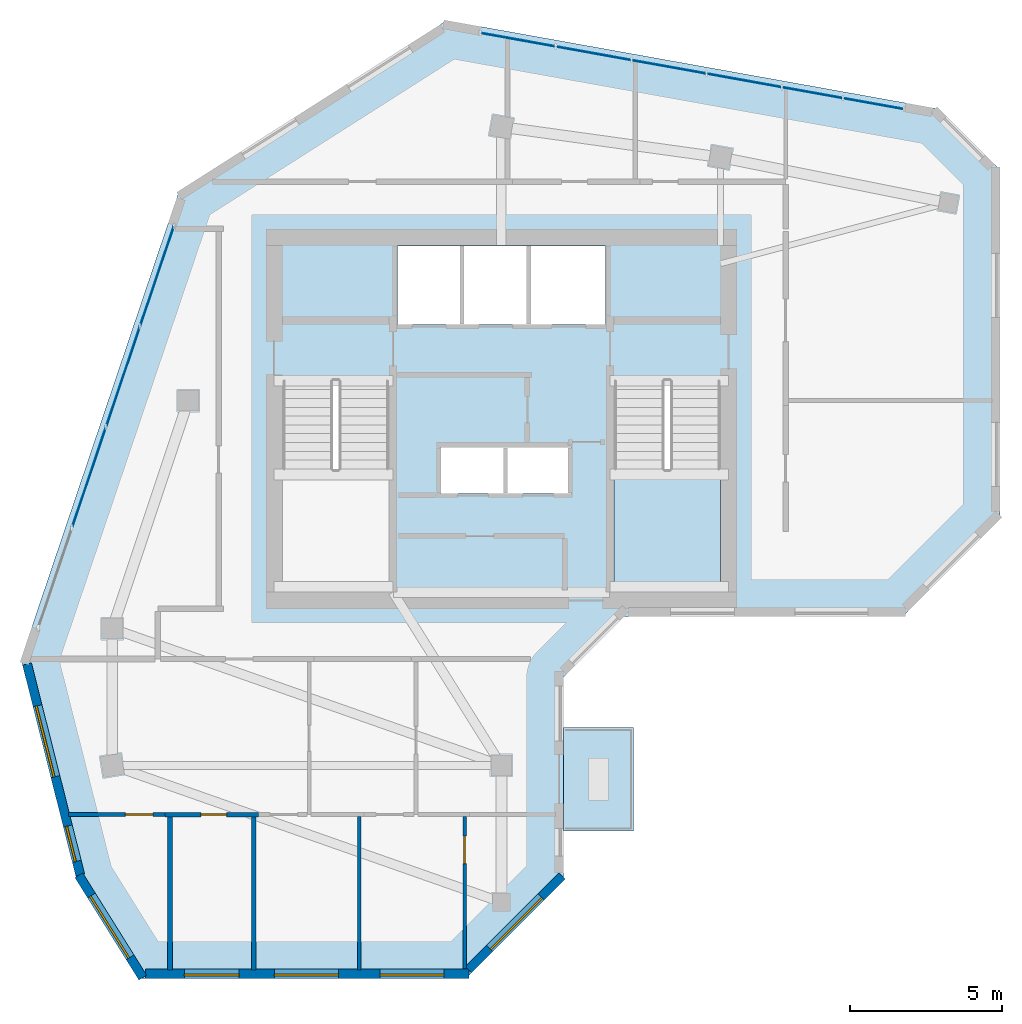
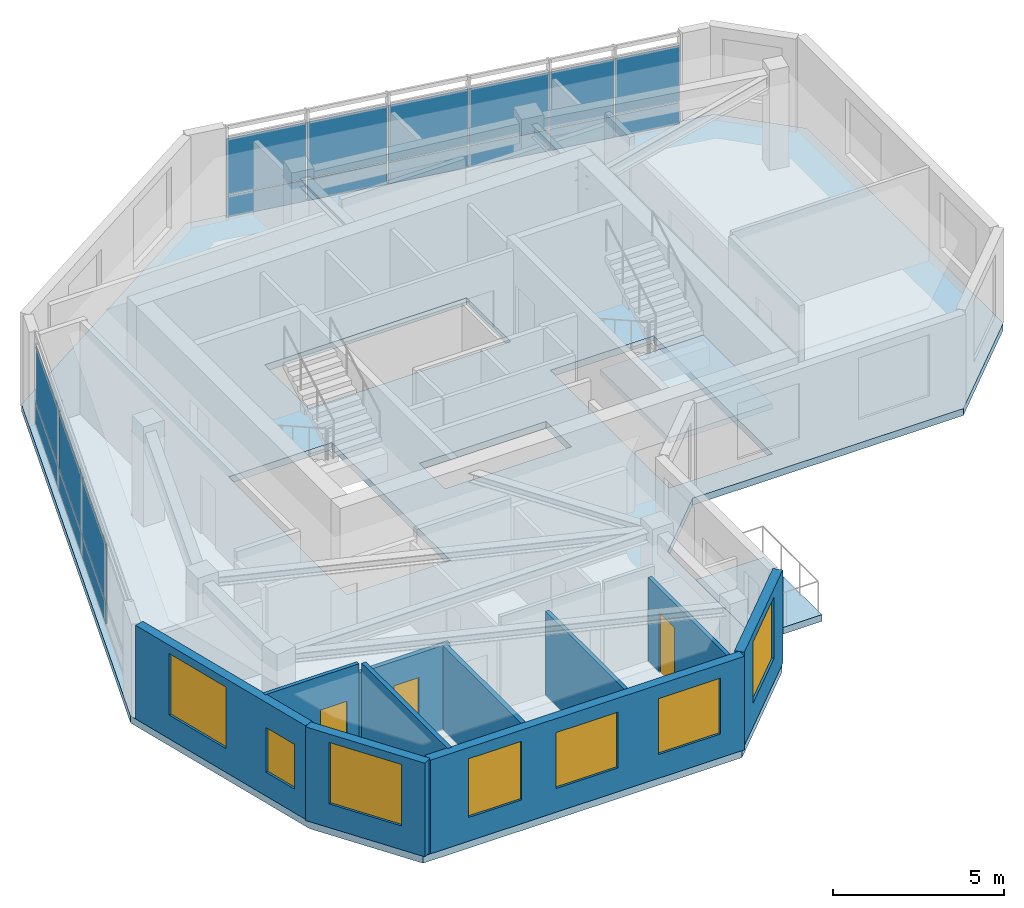
# One storey, part 2 of 7: 18 plates, 10 walls, 7 windows, 3 doors, 3 slabs, 10 openings, 3 elements without a shape of their own.
"""IFC4 building model written with IfcOpenShell, lengths in metres."""

from ifc_helpers import new_model, si_unit, direction, frame, frame_2d, origin, place, context, subcontext, project, spatial, polyline, rectangle, outline, extrude, source, transform, mapped, material, layer, layer_set, type_object, element, fill, aggregate, save


model = new_model("IFC4")

# Units and contexts
model_context = context("Model", 3, precision=1e-05, world=origin(), true_north=direction((0.0, 1.0)))
body_context = subcontext(model_context, "Body", "Model", "MODEL_VIEW")
ifc_project = project(units=[si_unit("LENGTHUNIT", "METRE"), si_unit("AREAUNIT", "SQUARE_METRE"), si_unit("VOLUMEUNIT", "CUBIC_METRE"), si_unit("PLANEANGLEUNIT", "RADIAN"), si_unit("MASSUNIT", "GRAM", prefix="KILO")], contexts=[model_context])

# Site, building, storey
site_placement = place(None, origin())
site = spatial("IfcSite", under=ifc_project, at=site_placement, CompositionType="ELEMENT")
building_placement = place(site_placement, origin())
building = spatial("IfcBuilding", under=site, at=building_placement, Name="Calvemar Wedge Station Tower", CompositionType="ELEMENT")
storey_placement = place(building_placement, frame((0.0, 0.0, 285.300048828125)))
storey = spatial("IfcBuildingStorey", under=building, at=storey_placement, Name="L73", CompositionType="ELEMENT", Elevation=285.300048828125)

# Curtain wall, plates
ifc_material_1 = material(Name="Anodised aluminium 6063-T6", Category="aluminium")
curtain_wall_type = type_object("IfcCurtainWallType", Name="CW4", PredefinedType="NOTDEFINED", material=ifc_material_1)
curtain_wall_1_placement = place(storey_placement, origin())
curtain_wall_1 = element("IfcCurtainWall", 1, at=curtain_wall_1_placement, inside=storey, type_object=curtain_wall_type, Name="Storey L73 CW4 Recessed Unitised Curtain Wall 10", PredefinedType="NOTDEFINED")
ifc_material_2 = material(Name="Low-E laminated insulated glass", Category="glass")
ifc_layer_1 = layer(ifc_material_2, 0.028076171875)
ifc_layer_set_1 = layer_set([ifc_layer_1], Name="Low-E laminated insulated glass")
plate_type_1 = type_object("IfcPlateType", Name="CW4-GLZ", PredefinedType="CURTAIN_PANEL", material=ifc_layer_set_1)
plate_1_placement = place(storey_placement, frame((37.01611328125, 50.08740234375, 0.869873046875), z_axis=(0.0, 0.0, 1.0), x_axis=(-0.984221146633, 0.176942743621, 0.0)))
plate_1 = element("IfcPlate", 2, at=plate_1_placement, type_object=plate_type_1, Name="CW4 vision glass panel 1", PredefinedType="CURTAIN_PANEL", context=body_context, shape_type="SweptSolid", body=[
    extrude(rectangle(XDim=2.001953125, YDim=0.028076171875, at=frame_2d((1.0009765625, 0.0))), origin(), (0.0, 0.0, 1.0), 2.010009765625),
])
plate_2_placement = place(storey_placement, frame((35.01025390625, 50.447998046875, 0.869873046875), z_axis=(0.0, 0.0, 1.0), x_axis=(-0.984224963901, 0.176921509244, 0.0)))
plate_2 = element("IfcPlate", 3, at=plate_2_placement, type_object=plate_type_1, Name="CW4 vision glass panel 2", PredefinedType="CURTAIN_PANEL", context=body_context, shape_type="SweptSolid", body=[
    extrude(rectangle(XDim=2.002197265625, YDim=0.028076171875, at=frame_2d((1.0009765625, 0.0))), origin(), (0.0, 0.0, 1.0), 2.010009765625),
])
plate_3_placement = place(storey_placement, frame((33.004150390625, 50.80859375, 0.869873046875), z_axis=(0.0, 0.0, 1.0), x_axis=(-0.984227258702, 0.176908742657, 0.0)))
plate_3 = element("IfcPlate", 4, at=plate_3_placement, type_object=plate_type_1, Name="CW4 vision glass panel 3", PredefinedType="CURTAIN_PANEL", context=body_context, shape_type="SweptSolid", body=[
    extrude(rectangle(XDim=2.478515625, YDim=0.028076171875, at=frame_2d((1.2392578125, 0.0))), origin(), (0.0, 0.0, 1.0), 2.010009765625),
])
plate_4_placement = place(storey_placement, frame((30.529296875, 51.25341796875, 0.869873046875), z_axis=(0.0, 0.0, 1.0), x_axis=(-0.984230341027, 0.176891593364, 0.0)))
plate_4 = element("IfcPlate", 5, at=plate_4_placement, type_object=plate_type_1, Name="CW4 vision glass panel 4", PredefinedType="CURTAIN_PANEL", context=body_context, shape_type="SweptSolid", body=[
    extrude(rectangle(XDim=2.478759765625, YDim=0.028076171875, at=frame_2d((1.2392578125, 0.0))), origin(), (0.0, 0.0, 1.0), 2.010009765625),
])
plate_5_placement = place(storey_placement, frame((28.05419921875, 51.6982421875, 0.869873046875), z_axis=(0.0, 0.0, 1.0), x_axis=(-0.984227429681, 0.176907791418, 0.0)))
plate_5 = element("IfcPlate", 6, at=plate_5_placement, type_object=plate_type_1, Name="CW4 vision glass panel 5", PredefinedType="CURTAIN_PANEL", context=body_context, shape_type="SweptSolid", body=[
    extrude(rectangle(XDim=2.48828125, YDim=0.028076171875, at=frame_2d((1.244140625, 0.0))), origin(), (0.0, 0.0, 1.0), 2.010009765625),
])
plate_6_placement = place(storey_placement, frame((25.56982421875, 52.14501953125, 0.869873046875), z_axis=(0.0, 0.0, 1.0), x_axis=(-0.984227429681, 0.176907791418, 0.0)))
plate_6 = element("IfcPlate", 7, at=plate_6_placement, type_object=plate_type_1, Name="CW4 vision glass panel 6", PredefinedType="CURTAIN_PANEL", context=body_context, shape_type="SweptSolid", body=[
    extrude(rectangle(XDim=2.48828125, YDim=0.028076171875, at=frame_2d((1.244140625, 0.0))), origin(), (0.0, 0.0, 1.0), 2.010009765625),
])

curtain_wall_2_placement = place(storey_placement, origin())
curtain_wall_2 = element("IfcCurtainWall", 8, at=curtain_wall_2_placement, inside=storey, type_object=curtain_wall_type, Name="Storey L73 CW4 Recessed Unitised Curtain Wall 12", PredefinedType="NOTDEFINED")
plate_7_placement = place(storey_placement, frame((13.0244140625, 46.223388671875, 0.869873046875), z_axis=(0.0, 0.0, 1.0), x_axis=(-0.319915894708, -0.947445945853, 0.0)))
plate_7 = element("IfcPlate", 9, at=plate_7_placement, type_object=plate_type_1, Name="CW4 vision glass panel 1", PredefinedType="CURTAIN_PANEL", context=body_context, shape_type="SweptSolid", body=[
    extrude(rectangle(XDim=3.453125, YDim=0.028076171875, at=frame_2d((1.7265625, 0.0))), origin(), (0.0, 0.0, 1.0), 2.010009765625),
])
plate_8_placement = place(storey_placement, frame((11.908203125, 42.91748046875, 0.869873046875), z_axis=(0.0, 0.0, 1.0), x_axis=(-0.319979356362, -0.947424514936, 0.0)))
plate_8 = element("IfcPlate", 10, at=plate_8_placement, type_object=plate_type_1, Name="CW4 vision glass panel 2", PredefinedType="CURTAIN_PANEL", context=body_context, shape_type="SweptSolid", body=[
    extrude(rectangle(XDim=3.453369140625, YDim=0.028076171875, at=frame_2d((1.7265625, 0.0))), origin(), (0.0, 0.0, 1.0), 2.010009765625),
])
plate_9_placement = place(storey_placement, frame((10.791748046875, 39.611572265625, 0.869873046875), z_axis=(0.0, 0.0, 1.0), x_axis=(-0.319915894708, -0.947445945853, 0.0)))
plate_9 = element("IfcPlate", 11, at=plate_9_placement, type_object=plate_type_1, Name="CW4 vision glass panel 3", PredefinedType="CURTAIN_PANEL", context=body_context, shape_type="SweptSolid", body=[
    extrude(rectangle(XDim=3.453125, YDim=0.028076171875, at=frame_2d((1.7265625, 0.0))), origin(), (0.0, 0.0, 1.0), 2.010009765625),
])

# Plate
ifc_material_3 = material(Name="Oxidized bronze aluminium spandrel panel 5005-H24", Category="aluminium")
ifc_layer_2 = layer(ifc_material_3, 0.0400390625)
ifc_layer_set_2 = layer_set([ifc_layer_2], Name="Oxidized bronze aluminium spandrel panel 5005-H24")
plate_type_2 = type_object("IfcPlateType", Name="CW4-SPD", PredefinedType="SHEET", material=ifc_layer_set_2)
plate_10_placement = place(storey_placement, frame((37.01611328125, 50.08740234375, 0.079833984375), z_axis=(0.0, 0.0, 1.0), x_axis=(-0.984221146633, 0.176942743621, 0.0)))
plate_10 = element("IfcPlate", 12, at=plate_10_placement, type_object=plate_type_2, Name="CW4 bronze spandrel panel 1", PredefinedType="SHEET", context=body_context, shape_type="SweptSolid", body=[
    extrude(rectangle(XDim=2.001953125, YDim=0.0400390625, at=frame_2d((1.0009765625, 0.0))), origin(), (0.0, 0.0, 1.0), 0.75),
])

plate_11_placement = place(storey_placement, frame((35.01025390625, 50.447998046875, 0.079833984375), z_axis=(0.0, 0.0, 1.0), x_axis=(-0.984224963901, 0.176921509244, 0.0)))
plate_11 = element("IfcPlate", 13, at=plate_11_placement, type_object=plate_type_2, Name="CW4 bronze spandrel panel 2", PredefinedType="SHEET", context=body_context, shape_type="SweptSolid", body=[
    extrude(rectangle(XDim=2.002197265625, YDim=0.0400390625, at=frame_2d((1.0009765625, 0.0))), origin(), (0.0, 0.0, 1.0), 0.75),
])

plate_12_placement = place(storey_placement, frame((33.004150390625, 50.80859375, 0.079833984375), z_axis=(0.0, 0.0, 1.0), x_axis=(-0.984227258702, 0.176908742657, 0.0)))
plate_12 = element("IfcPlate", 14, at=plate_12_placement, type_object=plate_type_2, Name="CW4 bronze spandrel panel 3", PredefinedType="SHEET", context=body_context, shape_type="SweptSolid", body=[
    extrude(rectangle(XDim=2.478515625, YDim=0.0400390625, at=frame_2d((1.2392578125, 0.0))), origin(), (0.0, 0.0, 1.0), 0.75),
])

plate_13_placement = place(storey_placement, frame((30.529296875, 51.25341796875, 0.079833984375), z_axis=(0.0, 0.0, 1.0), x_axis=(-0.984230341027, 0.176891593364, 0.0)))
plate_13 = element("IfcPlate", 15, at=plate_13_placement, type_object=plate_type_2, Name="CW4 bronze spandrel panel 4", PredefinedType="SHEET", context=body_context, shape_type="SweptSolid", body=[
    extrude(rectangle(XDim=2.478759765625, YDim=0.0400390625, at=frame_2d((1.2392578125, 0.0))), origin(), (0.0, 0.0, 1.0), 0.75),
])

plate_14_placement = place(storey_placement, frame((28.05419921875, 51.6982421875, 0.079833984375), z_axis=(0.0, 0.0, 1.0), x_axis=(-0.984227429681, 0.176907791418, 0.0)))
plate_14 = element("IfcPlate", 16, at=plate_14_placement, type_object=plate_type_2, Name="CW4 bronze spandrel panel 5", PredefinedType="SHEET", context=body_context, shape_type="SweptSolid", body=[
    extrude(rectangle(XDim=2.48828125, YDim=0.0400390625, at=frame_2d((1.244140625, 0.0))), origin(), (0.0, 0.0, 1.0), 0.75),
])

plate_15_placement = place(storey_placement, frame((25.56982421875, 52.14501953125, 0.079833984375), z_axis=(0.0, 0.0, 1.0), x_axis=(-0.984227429681, 0.176907791418, 0.0)))
plate_15 = element("IfcPlate", 17, at=plate_15_placement, type_object=plate_type_2, Name="CW4 bronze spandrel panel 6", PredefinedType="SHEET", context=body_context, shape_type="SweptSolid", body=[
    extrude(rectangle(XDim=2.48828125, YDim=0.0400390625, at=frame_2d((1.244140625, 0.0))), origin(), (0.0, 0.0, 1.0), 0.75),
])

aggregate(curtain_wall_1, [plate_10, plate_1, plate_11, plate_2, plate_12, plate_3, plate_13, plate_4, plate_14, plate_5, plate_15, plate_6])

plate_16_placement = place(storey_placement, frame((13.0244140625, 46.223388671875, 0.079833984375), z_axis=(0.0, 0.0, 1.0), x_axis=(-0.319915894708, -0.947445945853, 0.0)))
plate_16 = element("IfcPlate", 18, at=plate_16_placement, type_object=plate_type_2, Name="CW4 bronze spandrel panel 1", PredefinedType="SHEET", context=body_context, shape_type="SweptSolid", body=[
    extrude(rectangle(XDim=3.453125, YDim=0.0400390625, at=frame_2d((1.7265625, 0.0))), origin(), (0.0, 0.0, 1.0), 0.75),
])

plate_17_placement = place(storey_placement, frame((11.908203125, 42.91748046875, 0.079833984375), z_axis=(0.0, 0.0, 1.0), x_axis=(-0.319979356362, -0.947424514936, 0.0)))
plate_17 = element("IfcPlate", 19, at=plate_17_placement, type_object=plate_type_2, Name="CW4 bronze spandrel panel 2", PredefinedType="SHEET", context=body_context, shape_type="SweptSolid", body=[
    extrude(rectangle(XDim=3.453369140625, YDim=0.0400390625, at=frame_2d((1.7265625, 0.0))), origin(), (0.0, 0.0, 1.0), 0.75),
])

plate_18_placement = place(storey_placement, frame((10.791748046875, 39.611572265625, 0.079833984375), z_axis=(0.0, 0.0, 1.0), x_axis=(-0.319915894708, -0.947445945853, 0.0)))
plate_18 = element("IfcPlate", 20, at=plate_18_placement, type_object=plate_type_2, Name="CW4 bronze spandrel panel 3", PredefinedType="SHEET", context=body_context, shape_type="SweptSolid", body=[
    extrude(rectangle(XDim=3.453125, YDim=0.0400390625, at=frame_2d((1.7265625, 0.0))), origin(), (0.0, 0.0, 1.0), 0.75),
])

aggregate(curtain_wall_2, [plate_16, plate_7, plate_17, plate_8, plate_18, plate_9])

# Stair, slab
ifc_material_4 = material(Name="Concrete C45", Category="concrete")
stair_type = type_object("IfcStairType", Name="ST-TYPE-3600", PredefinedType="HALF_TURN_STAIR", material=ifc_material_4)
stair_placement = place(storey_placement, origin())
stair = element("IfcStair", 21, at=stair_placement, inside=storey, type_object=stair_type, Name="L73 Pressurized Core Exit Stair ST-C2", PredefinedType="HALF_TURN_STAIR")
ifc_layer_3 = layer(ifc_material_4, 0.199951171875)
ifc_layer_set_3 = layer_set([ifc_layer_3], Name="Concrete C45")
slab_type_1 = type_object("IfcSlabType", Name="SL-STAIR-LND-200", PredefinedType="LANDING", material=ifc_layer_set_3)
slab_1_placement = place(storey_placement, frame((0.0, 0.0, 1.599853515625)))
slab_1 = element("IfcSlab", 22, at=slab_1_placement, type_object=slab_type_1, Name="ST-C2 landing 1", PredefinedType="LANDING", context=body_context, shape_type="SweptSolid", body=[
    extrude(outline(polyline([(27.5, 38.25), (27.5, 34.199951171875), (31.0, 34.199951171875), (31.0, 38.25), (27.5, 38.25)])), origin(), (0.0, 0.0, 1.0), 0.2001953125),
])
aggregate(stair, [slab_1])

# Slabs
ifc_layer_4 = layer(ifc_material_4, 0.239990234375)
ifc_layer_set_4 = layer_set([ifc_layer_4], Name="Concrete C45")
slab_type_2 = type_object("IfcSlabType", Name="SL-TERR-240", PredefinedType="FLOOR", material=ifc_layer_set_4)
slab_2_placement = place(storey_placement, frame((0.0, 0.0, -0.239990234375)))
element("IfcSlab", 23, at=slab_2_placement, inside=storey, type_object=slab_type_2, Name="Storey L73 Planted Spiral Terrace Slab", PredefinedType="FLOOR", context=body_context, shape_type="SweptSolid", body=[
    extrude(outline(polyline([(25.840087890625, 26.35009765625), (28.139892578125, 26.35009765625), (28.139892578125, 29.75), (25.840087890625, 29.75), (25.840087890625, 26.35009765625)])), origin(), (0.0, 0.0, 1.0), 0.239990234375),
])
ifc_material_5 = material(Name="Concrete C50", Category="concrete")
ifc_layer_5 = layer(ifc_material_5, 0.25)
ifc_layer_set_5 = layer_set([ifc_layer_5], Name="Concrete C50")
slab_type_3 = type_object("IfcSlabType", Name="SL-TYP-250", PredefinedType="FLOOR", material=ifc_layer_set_5)
slab_3_placement = place(storey_placement, frame((0.0, 0.0, -0.25)))
element("IfcSlab", 24, at=slab_3_placement, inside=storey, type_object=slab_type_3, Name="Storey L73 Structural Floor Slab", PredefinedType="FLOOR", context=body_context, shape_type="SweptSolid", body=[
    extrude(outline(polyline([(8.0, 32.0), (9.840087890625, 24.699951171875), (11.840087890625, 21.5), (22.639892578125, 21.5), (25.840087890625, 24.699951171875), (25.840087890625, 31.39990234375), (27.840087890625, 33.39990234375), (37.0, 33.39990234375), (40.199951171875, 36.60009765625), (40.199951171875, 48.087890625), (38.199951171875, 50.087890625), (22.0, 53.0), (13.199951171875, 47.39990234375), (8.0, 32.0)]), holes=[polyline([(20.10009765625, 34.199951171875), (20.10009765625, 41.14990234375), (16.60009765625, 41.14990234375), (16.60009765625, 34.199951171875), (20.10009765625, 34.199951171875)]), polyline([(31.0, 34.199951171875), (31.0, 41.14990234375), (27.5, 41.14990234375), (27.5, 34.199951171875), (31.0, 34.199951171875)]), polyline([(23.929931640625, 38.949951171875), (21.7900390625, 38.949951171875), (21.7900390625, 37.449951171875), (23.929931640625, 37.449951171875), (23.93994140625, 37.449951171875), (26.080078125, 37.449951171875), (26.080078125, 38.949951171875), (23.93994140625, 38.949951171875), (23.929931640625, 38.949951171875)]), polyline([(27.219970703125, 43.0), (27.219970703125, 45.580078125), (20.3798828125, 45.580078125), (20.3798828125, 43.0), (27.219970703125, 43.0)])]), origin(), (0.0, 0.0, 1.0), 0.25),
])

# Wall, opening, window
ifc_material_6 = material(Name="Precast concrete C45", Category="concrete")
ifc_layer_6 = layer(ifc_material_6, 0.300048828125)
ifc_layer_set_6 = layer_set([ifc_layer_6], Name="Precast concrete C45")
wall_type_1 = type_object("IfcWallType", Name="W-EXT-GFRC-300", PredefinedType="SOLIDWALL", material=ifc_layer_set_6)
wall_1_placement = place(storey_placement, frame((9.900146484375, 24.88671875, 0.0), z_axis=(0.0, 0.0, 1.0), x_axis=(0.530004471907, -0.84799484654, 0.0)))
wall_1 = element("IfcWall", 25, at=wall_1_placement, inside=storey, type_object=wall_type_1, Name="Storey L73 Bronze GFRC Exterior Wall 1", PredefinedType="SOLIDWALL", context=body_context, shape_type="SweptSolid", body=[
    extrude(rectangle(XDim=3.967041015625, YDim=0.300048828125, at=frame_2d((1.9833984375, 0.0))), origin(), (0.0, 0.0, 1.0), 3.349853515625),
])
shared_shape_1 = source(origin(), body_context, "Body", "SweptSolid", [
    extrude(rectangle(XDim=2.39990234375, YDim=2.199951171875, at=frame_2d((1.199951171875, 1.10009765625))), frame((0.0, 0.16015625, 0.0), z_axis=(0.0, -1.0, 0.0), x_axis=(1.0, 0.0, 0.0)), (0.0, 0.0, 1.0), 0.320068359375),
])
opening_1_placement = place(wall_1_placement, frame((0.782958984375, 0.0, 0.85009765625)))
opening_1 = element("IfcOpeningElement", 26, at=opening_1_placement, cuts=wall_1, Name="Opening W1", PredefinedType="OPENING", context=body_context, shape_type="MappedRepresentation", body=[
    mapped(shared_shape_1, transform((0.0, 0.0, 0.0), scale=1.0)),
])
window_type_1 = type_object("IfcWindowType", Name="WIN-EXT-1", PartitioningType="SINGLE_PANEL", PredefinedType="WINDOW", material=ifc_material_2)
shared_shape_2 = source(origin(), body_context, "Body", "SweptSolid", [
    extrude(rectangle(XDim=2.39990234375, YDim=2.199951171875, at=frame_2d((1.199951171875, 1.10009765625))), frame((0.0, -0.014892578125, 0.0), z_axis=(0.0, -1.0, 0.0), x_axis=(1.0, 0.0, 0.0)), (0.0, 0.0, 1.0), 0.06005859375),
])
window_1_placement = place(opening_1_placement, origin())
window_1 = element("IfcWindow", 27, at=window_1_placement, inside=storey, type_object=window_type_1, Name="Storey L73 Recessed Window 1.1", OverallHeight=2.199951171875, OverallWidth=2.39990234375, PartitioningType="SINGLE_PANEL", PredefinedType="WINDOW", context=body_context, shape_type="MappedRepresentation", body=[
    mapped(shared_shape_2, transform((0.0, 0.0, 0.0), scale=1.0)),
])
fill(opening_1, window_1)

# Wall, openings, windows
wall_2_placement = place(storey_placement, frame((12.085693359375, 21.64990234375, 0.0), z_axis=(0.0, 0.0, 1.0), x_axis=(1.0, 0.0, 0.0)))
wall_2 = element("IfcWall", 28, at=wall_2_placement, inside=storey, type_object=wall_type_1, Name="Storey L73 Bronze GFRC Exterior Wall 2", PredefinedType="SOLIDWALL", context=body_context, shape_type="SweptSolid", body=[
    extrude(rectangle(XDim=10.64208984375, YDim=0.300048828125, at=frame_2d((5.321044921875, 0.0))), origin(), (0.0, 0.0, 1.0), 3.349853515625),
])
shared_shape_3 = source(origin(), body_context, "Body", "SweptSolid", [
    extrude(rectangle(XDim=1.800048828125, YDim=2.10009765625, at=frame_2d((0.89990234375, 1.050048828125))), frame((0.0, 0.16015625, 0.0), z_axis=(0.0, -1.0, 0.0), x_axis=(1.0, 0.0, 0.0)), (0.0, 0.0, 1.0), 0.320068359375),
])
opening_2_placement = place(wall_2_placement, frame((1.2890625, 0.0, 0.85009765625)))
opening_2 = element("IfcOpeningElement", 29, at=opening_2_placement, cuts=wall_2, Name="Opening W2", PredefinedType="OPENING", context=body_context, shape_type="MappedRepresentation", body=[
    mapped(shared_shape_3, transform((0.0, 0.0, 0.0), scale=1.0)),
])
shared_shape_4 = source(origin(), body_context, "Body", "SweptSolid", [
    extrude(rectangle(XDim=2.10009765625, YDim=2.0, at=frame_2d((1.050048828125, 1.0))), frame((0.0, 0.16015625, 0.0), z_axis=(0.0, -1.0, 0.0), x_axis=(1.0, 0.0, 0.0)), (0.0, 0.0, 1.0), 0.320068359375),
])
opening_3_placement = place(wall_2_placement, frame((4.25, 0.0, 0.85009765625)))
opening_3 = element("IfcOpeningElement", 30, at=opening_3_placement, cuts=wall_2, Name="Opening W4", PredefinedType="OPENING", context=body_context, shape_type="MappedRepresentation", body=[
    mapped(shared_shape_4, transform((0.0, 0.0, 0.0), scale=1.0)),
])
opening_4_placement = place(wall_2_placement, frame((7.721923828125, 0.0, 0.85009765625)))
opening_4 = element("IfcOpeningElement", 31, at=opening_4_placement, cuts=wall_2, Name="Opening W4", PredefinedType="OPENING", context=body_context, shape_type="MappedRepresentation", body=[
    mapped(shared_shape_4, transform((0.0, 0.0, 0.0), scale=1.0)),
])
window_type_2 = type_object("IfcWindowType", Name="WIN-EXT-4", PartitioningType="SINGLE_PANEL", PredefinedType="WINDOW", material=ifc_material_2)
shared_shape_5 = source(origin(), body_context, "Body", "SweptSolid", [
    extrude(rectangle(XDim=2.10009765625, YDim=2.0, at=frame_2d((1.050048828125, 1.0))), frame((0.0, -0.014892578125, 0.0), z_axis=(0.0, -1.0, 0.0), x_axis=(1.0, 0.0, 0.0)), (0.0, 0.0, 1.0), 0.06005859375),
])
window_2_placement = place(opening_3_placement, origin())
window_2 = element("IfcWindow", 32, at=window_2_placement, inside=storey, type_object=window_type_2, Name="Storey L73 Recessed Window 2.2", OverallHeight=2.0, OverallWidth=2.10009765625, PartitioningType="SINGLE_PANEL", PredefinedType="WINDOW", context=body_context, shape_type="MappedRepresentation", body=[
    mapped(shared_shape_5, transform((0.0, 0.0, 0.0), scale=1.0)),
])
fill(opening_3, window_2)
window_3_placement = place(opening_4_placement, origin())
window_3 = element("IfcWindow", 33, at=window_3_placement, inside=storey, type_object=window_type_2, Name="Storey L73 Recessed Window 2.3", OverallHeight=2.0, OverallWidth=2.10009765625, PartitioningType="SINGLE_PANEL", PredefinedType="WINDOW", context=body_context, shape_type="MappedRepresentation", body=[
    mapped(shared_shape_5, transform((0.0, 0.0, 0.0), scale=1.0)),
])
fill(opening_4, window_3)
window_type_3 = type_object("IfcWindowType", Name="WIN-EXT-2", PartitioningType="SINGLE_PANEL", PredefinedType="WINDOW", material=ifc_material_2)
shared_shape_6 = source(origin(), body_context, "Body", "SweptSolid", [
    extrude(rectangle(XDim=1.800048828125, YDim=2.10009765625, at=frame_2d((0.89990234375, 1.050048828125))), frame((0.0, -0.014892578125, 0.0), z_axis=(0.0, -1.0, 0.0), x_axis=(1.0, 0.0, 0.0)), (0.0, 0.0, 1.0), 0.06005859375),
])
window_4_placement = place(opening_2_placement, origin())
window_4 = element("IfcWindow", 34, at=window_4_placement, inside=storey, type_object=window_type_3, Name="Storey L73 Recessed Window 2.1", OverallHeight=2.10009765625, OverallWidth=1.800048828125, PartitioningType="SINGLE_PANEL", PredefinedType="WINDOW", context=body_context, shape_type="MappedRepresentation", body=[
    mapped(shared_shape_6, transform((0.0, 0.0, 0.0), scale=1.0)),
])
fill(opening_2, window_4)

# Wall, opening, window
wall_3_placement = place(storey_placement, frame((22.7158203125, 21.7880859375, 0.0), z_axis=(0.0, 0.0, 1.0), x_axis=(0.707134803727, 0.707078757535, 0.0)))
wall_3 = element("IfcWall", 35, at=wall_3_placement, inside=storey, type_object=wall_type_1, Name="Storey L73 Bronze GFRC Exterior Wall 3", PredefinedType="SOLIDWALL", context=body_context, shape_type="SweptSolid", body=[
    extrude(rectangle(XDim=4.35595703125, YDim=0.300048828125, at=frame_2d((2.177978515625, 0.0))), origin(), (0.0, 0.0, 1.0), 3.349853515625),
])
opening_5_placement = place(wall_3_placement, frame((0.97802734375, 0.0, 0.85009765625)))
opening_5 = element("IfcOpeningElement", 36, at=opening_5_placement, cuts=wall_3, Name="Opening W1", PredefinedType="OPENING", context=body_context, shape_type="MappedRepresentation", body=[
    mapped(shared_shape_1, transform((0.0, 0.0, 0.0), scale=1.0)),
])
window_5_placement = place(opening_5_placement, origin())
window_5 = element("IfcWindow", 37, at=window_5_placement, inside=storey, type_object=window_type_1, Name="Storey L73 Recessed Window 3.1", OverallHeight=2.199951171875, OverallWidth=2.39990234375, PartitioningType="SINGLE_PANEL", PredefinedType="WINDOW", context=body_context, shape_type="MappedRepresentation", body=[
    mapped(shared_shape_2, transform((0.0, 0.0, 0.0), scale=1.0)),
])
fill(opening_5, window_5)

# Wall, openings, windows
wall_4_placement = place(storey_placement, frame((8.1962890625, 31.834716796875, 0.0), z_axis=(0.0, 0.0, 1.0), x_axis=(0.244430846523, -0.969666726906, 0.0)))
wall_4 = element("IfcWall", 38, at=wall_4_placement, inside=storey, type_object=wall_type_1, Name="Storey L73 Bronze GFRC Exterior Wall 13", PredefinedType="SOLIDWALL", context=body_context, shape_type="SweptSolid", body=[
    extrude(rectangle(XDim=7.151611328125, YDim=0.300048828125, at=frame_2d((3.57568359375, 0.0))), origin(), (0.0, 0.0, 1.0), 3.349853515625),
])
opening_6_placement = place(wall_4_placement, frame((1.41796875, 0.0, 0.85009765625)))
opening_6 = element("IfcOpeningElement", 39, at=opening_6_placement, cuts=wall_4, Name="Opening W1", PredefinedType="OPENING", context=body_context, shape_type="MappedRepresentation", body=[
    mapped(shared_shape_1, transform((0.0, 0.0, 0.0), scale=1.0)),
])
shared_shape_7 = source(origin(), body_context, "Body", "SweptSolid", [
    extrude(rectangle(XDim=1.199951171875, YDim=1.60009765625, at=frame_2d((0.60009765625, 0.800048828125))), frame((0.0, 0.16015625, 0.0), z_axis=(0.0, -1.0, 0.0), x_axis=(1.0, 0.0, 0.0)), (0.0, 0.0, 1.0), 0.320068359375),
])
opening_7_placement = place(wall_4_placement, frame((5.492919921875, 0.0, 0.85009765625)))
opening_7 = element("IfcOpeningElement", 40, at=opening_7_placement, cuts=wall_4, Name="Opening W5", PredefinedType="OPENING", context=body_context, shape_type="MappedRepresentation", body=[
    mapped(shared_shape_7, transform((0.0, 0.0, 0.0), scale=1.0)),
])
window_6_placement = place(opening_6_placement, origin())
window_6 = element("IfcWindow", 41, at=window_6_placement, inside=storey, type_object=window_type_1, Name="Storey L73 Recessed Window 13.1", OverallHeight=2.199951171875, OverallWidth=2.39990234375, PartitioningType="SINGLE_PANEL", PredefinedType="WINDOW", context=body_context, shape_type="MappedRepresentation", body=[
    mapped(shared_shape_2, transform((0.0, 0.0, 0.0), scale=1.0)),
])
fill(opening_6, window_6)
window_type_4 = type_object("IfcWindowType", Name="WIN-EXT-5", PartitioningType="SINGLE_PANEL", PredefinedType="WINDOW", material=ifc_material_2)
shared_shape_8 = source(origin(), body_context, "Body", "SweptSolid", [
    extrude(rectangle(XDim=1.199951171875, YDim=1.60009765625, at=frame_2d((0.60009765625, 0.800048828125))), frame((0.0, -0.014892578125, 0.0), z_axis=(0.0, -1.0, 0.0), x_axis=(1.0, 0.0, 0.0)), (0.0, 0.0, 1.0), 0.06005859375),
])
window_7_placement = place(opening_7_placement, origin())
window_7 = element("IfcWindow", 42, at=window_7_placement, inside=storey, type_object=window_type_4, Name="Storey L73 Recessed Window 13.2", OverallHeight=1.60009765625, OverallWidth=1.199951171875, PartitioningType="SINGLE_PANEL", PredefinedType="WINDOW", context=body_context, shape_type="MappedRepresentation", body=[
    mapped(shared_shape_8, transform((0.0, 0.0, 0.0), scale=1.0)),
])
fill(opening_7, window_7)

# Wall, opening, door
ifc_material_7 = material(Name="Insulated acoustic gypsum stud partition")
ifc_layer_7 = layer(ifc_material_7, 0.125)
ifc_layer_set_7 = layer_set([ifc_layer_7], Name="Insulated acoustic gypsum stud partition")
wall_type_2 = type_object("IfcWallType", Name="W-PART-125", PredefinedType="PARTITIONING", material=ifc_layer_set_7)
wall_5_placement = place(storey_placement, frame((12.738037109375, 26.883056640625, 0.0), z_axis=(0.0, 0.0, 1.0), x_axis=(-1.0, 0.0, 0.0)))
wall_5 = element("IfcWall", 43, at=wall_5_placement, inside=storey, type_object=wall_type_2, Name="Storey L73 Interior Partition WL-L73-030", PredefinedType="PARTITIONING", context=body_context, shape_type="SweptSolid", body=[
    extrude(rectangle(XDim=3.175048828125, YDim=0.125, at=frame_2d((1.58740234375, 0.0))), origin(), (0.0, 0.0, 1.0), 3.349853515625),
])
shared_shape_9 = source(origin(), body_context, "Body", "SweptSolid", [
    extrude(rectangle(XDim=0.89990234375, YDim=2.14990234375, at=frame_2d((0.449951171875, 1.074951171875))), frame((0.0, 0.072509765625, 0.0), z_axis=(0.0, -1.0, 0.0), x_axis=(1.0, 0.0, 0.0)), (0.0, 0.0, 1.0), 0.14501953125),
])
opening_8_placement = place(wall_5_placement, frame((0.402587890625, 0.0, 0.0)))
opening_8 = element("IfcOpeningElement", 44, at=opening_8_placement, cuts=wall_5, Name="Opening D-01", PredefinedType="OPENING", context=body_context, shape_type="MappedRepresentation", body=[
    mapped(shared_shape_9, transform((0.0, 0.0, 0.0), scale=1.0)),
])
ifc_material_8 = material(Name="Architectural hardwood acoustic swing door", Category="wood")
door_type_1 = type_object("IfcDoorType", Name="DR-INT-900", OperationType="NOTDEFINED", PredefinedType="DOOR", material=ifc_material_8)
shared_shape_10 = source(origin(), body_context, "Body", "SweptSolid", [
    extrude(rectangle(XDim=0.89990234375, YDim=2.14990234375, at=frame_2d((0.449951171875, 1.074951171875))), frame((0.0, 0.02490234375, 0.0), z_axis=(0.0, -1.0, 0.0), x_axis=(1.0, 0.0, 0.0)), (0.0, 0.0, 1.0), 0.050048828125),
])
door_1_placement = place(opening_8_placement, origin())
door_1 = element("IfcDoor", 45, at=door_1_placement, inside=storey, type_object=door_type_1, Name="L73 Bedroom Door", OperationType="SINGLE_SWING_RIGHT", OverallHeight=2.14990234375, OverallWidth=0.89990234375, PredefinedType="DOOR", context=body_context, shape_type="MappedRepresentation", body=[
    mapped(shared_shape_10, transform((0.0, 0.0, 0.0), scale=1.0)),
])
fill(opening_8, door_1)

# Wall
wall_6_placement = place(storey_placement, frame((19.1220703125, 26.81640625, 0.0), z_axis=(0.0, 0.0, 1.0), x_axis=(0.0, -1.0, 0.0)))
element("IfcWall", 46, at=wall_6_placement, inside=storey, type_object=wall_type_2, Name="Storey L73 Interior Partition WL-L73-036", PredefinedType="PARTITIONING", context=body_context, shape_type="SweptSolid", body=[
    extrude(rectangle(XDim=5.051513671875, YDim=0.125, at=frame_2d((2.52587890625, 0.0))), origin(), (0.0, 0.0, 1.0), 3.01904296875),
])

# Wall, opening, door
wall_7_placement = place(storey_placement, frame((22.593017578125, 26.81640625, 0.0), z_axis=(0.0, 0.0, 1.0), x_axis=(0.0, -1.0, 0.0)))
wall_7 = element("IfcWall", 47, at=wall_7_placement, inside=storey, type_object=wall_type_2, Name="Storey L73 Interior Partition WL-L73-037", PredefinedType="PARTITIONING", context=body_context, shape_type="SweptSolid", body=[
    extrude(rectangle(XDim=4.988525390625, YDim=0.125, at=frame_2d((2.494140625, 0.0))), origin(), (0.0, 0.0, 1.0), 3.01904296875),
])
opening_9_placement = place(wall_7_placement, frame((0.64501953125, 0.0, 0.0)))
opening_9 = element("IfcOpeningElement", 48, at=opening_9_placement, cuts=wall_7, Name="Opening D-01", PredefinedType="OPENING", context=body_context, shape_type="MappedRepresentation", body=[
    mapped(shared_shape_9, transform((0.0, 0.0, 0.0), scale=1.0)),
])
door_2_placement = place(opening_9_placement, origin())
door_2 = element("IfcDoor", 49, at=door_2_placement, inside=storey, type_object=door_type_1, Name="L73 Study Door", OperationType="SINGLE_SWING_LEFT", OverallHeight=2.14990234375, OverallWidth=0.89990234375, PredefinedType="DOOR", context=body_context, shape_type="MappedRepresentation", body=[
    mapped(shared_shape_10, transform((0.0, 0.0, 0.0), scale=1.0)),
])
fill(opening_9, door_2)

ifc_material_9 = material(Name="Moisture-resistant acoustic bathroom partition")
ifc_layer_8 = layer(ifc_material_9, 0.14990234375)
ifc_layer_set_8 = layer_set([ifc_layer_8], Name="Moisture-resistant acoustic bathroom partition")
wall_type_3 = type_object("IfcWallType", Name="W-WET-150", PredefinedType="PARTITIONING", material=ifc_layer_set_8)
wall_8_placement = place(storey_placement, frame((15.81005859375, 26.883056640625, 0.0), z_axis=(0.0, 0.0, 1.0), x_axis=(-1.0, 0.0, 0.0)))
wall_8 = element("IfcWall", 50, at=wall_8_placement, inside=storey, type_object=wall_type_3, Name="Storey L73 Interior Partition WL-L73-029", PredefinedType="PARTITIONING", context=body_context, shape_type="SweptSolid", body=[
    extrude(rectangle(XDim=3.070068359375, YDim=0.14990234375, at=frame_2d((1.53515625, 0.0))), origin(), (0.0, 0.0, 1.0), 3.01904296875),
])
shared_shape_11 = source(origin(), body_context, "Body", "SweptSolid", [
    extrude(rectangle(XDim=0.85009765625, YDim=2.14990234375, at=frame_2d((0.425048828125, 1.074951171875))), frame((0.0, 0.0849609375, 0.0), z_axis=(0.0, -1.0, 0.0), x_axis=(1.0, 0.0, 0.0)), (0.0, 0.0, 1.0), 0.169921875),
])
opening_10_placement = place(wall_8_placement, frame((1.046142578125, 0.0, 0.0)))
opening_10 = element("IfcOpeningElement", 51, at=opening_10_placement, cuts=wall_8, Name="Opening D-02", PredefinedType="OPENING", context=body_context, shape_type="MappedRepresentation", body=[
    mapped(shared_shape_11, transform((0.0, 0.0, 0.0), scale=1.0)),
])
ifc_material_10 = material(Name="Moisture-sealed bathroom hardwood swing door", Category="wood")
door_type_2 = type_object("IfcDoorType", Name="DR-WET-850", OperationType="NOTDEFINED", PredefinedType="DOOR", material=ifc_material_10)
shared_shape_12 = source(origin(), body_context, "Body", "SweptSolid", [
    extrude(rectangle(XDim=0.85009765625, YDim=2.14990234375, at=frame_2d((0.425048828125, 1.074951171875))), frame((0.0, 0.02490234375, 0.0), z_axis=(0.0, -1.0, 0.0), x_axis=(1.0, 0.0, 0.0)), (0.0, 0.0, 1.0), 0.050048828125),
])
door_3_placement = place(opening_10_placement, origin())
door_3 = element("IfcDoor", 52, at=door_3_placement, inside=storey, type_object=door_type_2, Name="L73 Bathroom Door", OperationType="SINGLE_SWING_LEFT", OverallHeight=2.14990234375, OverallWidth=0.85009765625, PredefinedType="DOOR", context=body_context, shape_type="MappedRepresentation", body=[
    mapped(shared_shape_12, transform((0.0, 0.0, 0.0), scale=1.0)),
])
fill(opening_10, door_3)

# Walls
wall_9_placement = place(storey_placement, frame((12.89990234375, 21.764892578125, 0.0), z_axis=(0.0, 0.0, 1.0), x_axis=(0.0, 1.0, 0.0)))
element("IfcWall", 53, at=wall_9_placement, inside=storey, type_object=wall_type_3, Name="Storey L73 Interior Partition WL-L73-034", PredefinedType="PARTITIONING", context=body_context, shape_type="SweptSolid", body=[
    extrude(rectangle(XDim=5.0390625, YDim=0.14990234375, at=frame_2d((2.51953125, 0.0))), origin(), (0.0, 0.0, 1.0), 3.349853515625),
])
wall_10_placement = place(storey_placement, frame((15.64990234375, 26.803955078125, 0.0), z_axis=(0.0, 0.0, 1.0), x_axis=(0.0, -1.0, 0.0)))
element("IfcWall", 54, at=wall_10_placement, inside=storey, type_object=wall_type_3, Name="Storey L73 Interior Partition WL-L73-035", PredefinedType="PARTITIONING", context=body_context, shape_type="SweptSolid", body=[
    extrude(rectangle(XDim=5.0390625, YDim=0.14990234375, at=frame_2d((2.51953125, 0.0))), origin(), (0.0, 0.0, 1.0), 3.01904296875),
])

save(model, "model.ifc")
